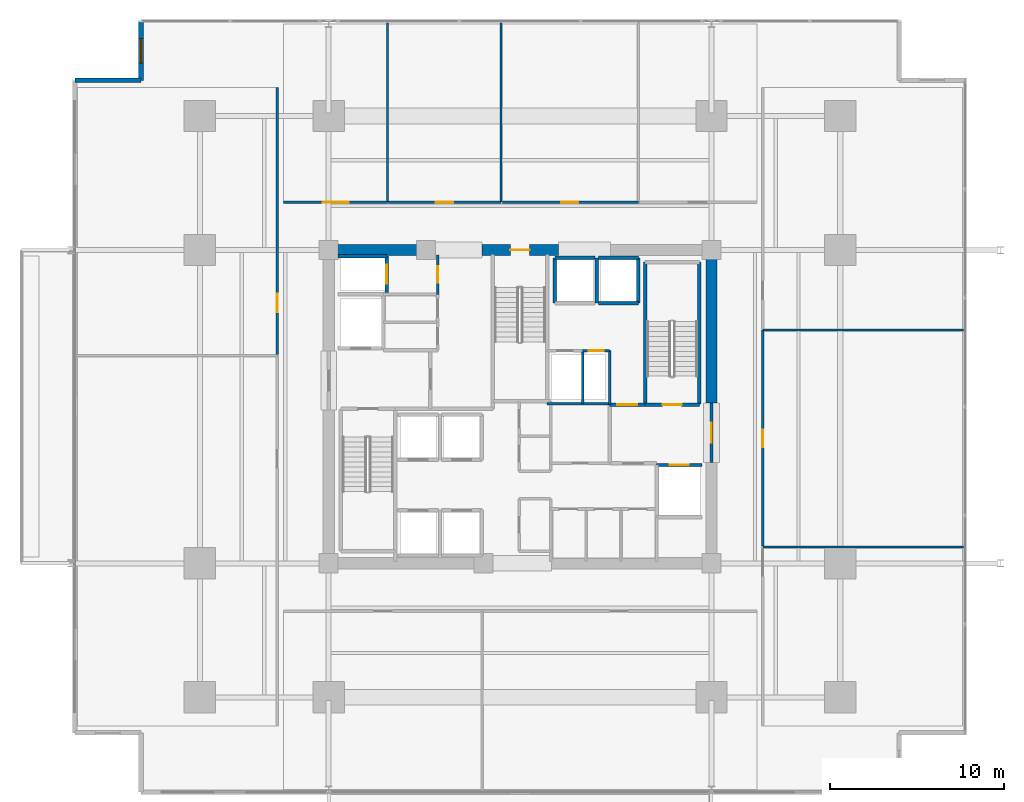
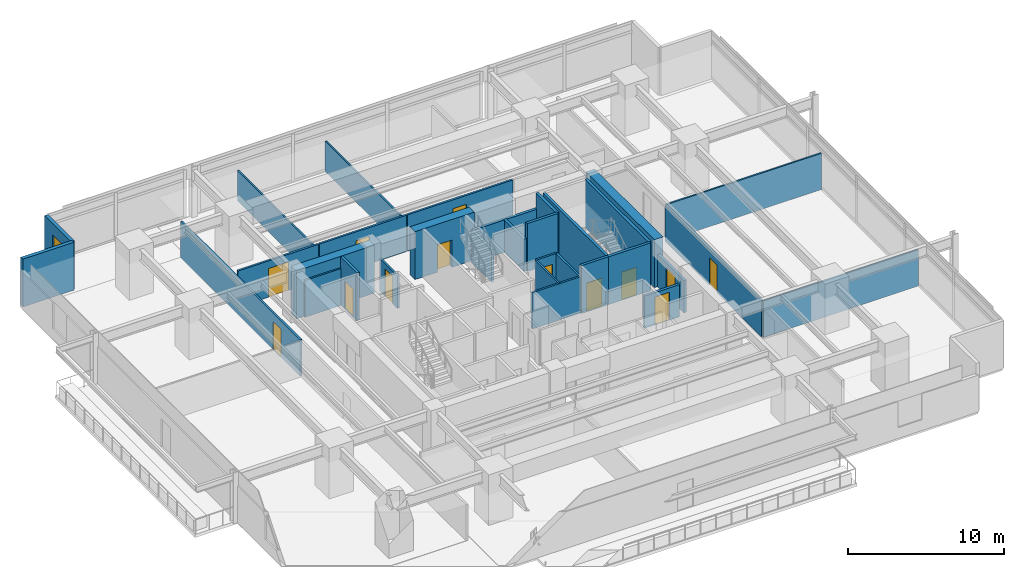
# One storey, part 16 of 22: 33 walls, 13 doors, 1 window, 14 openings.
"""IFC4 building model written with IfcOpenShell, lengths in metres."""

from ifc_helpers import new_model, si_unit, direction, frame, frame_2d, origin, place, context, subcontext, project, spatial, rectangle, extrude, material, layer, layer_set, type_object, element, fill, save


model = new_model("IFC4")

# Units and contexts
model_context = context("Model", 3, precision=1e-05, world=origin(), true_north=direction((0.0, 1.0)))
body_context = subcontext(model_context, "Body", "Model", "MODEL_VIEW")
ifc_project = project(units=[si_unit("LENGTHUNIT", "METRE"), si_unit("AREAUNIT", "SQUARE_METRE"), si_unit("VOLUMEUNIT", "CUBIC_METRE"), si_unit("PLANEANGLEUNIT", "RADIAN"), si_unit("MASSUNIT", "GRAM", prefix="KILO")], contexts=[model_context])

# Site, building, storey
site_placement = place(None, origin())
site = spatial("IfcSite", under=ifc_project, at=site_placement, CompositionType="ELEMENT")
building_placement = place(site_placement, origin())
building = spatial("IfcBuilding", under=site, at=building_placement, Name="Kovane Verandah Tower", CompositionType="ELEMENT")
storey_placement = place(building_placement, frame((0.0, 0.0, 51.60009765625)))
storey = spatial("IfcBuildingStorey", under=building, at=storey_placement, Name="L11", CompositionType="ELEMENT", Elevation=51.60009765625)

# Wall, opening, door
ifc_material_1 = material(Name="Fire-Rated Gypsum Stud Partition", Category="gypsum")
ifc_layer_1 = layer(ifc_material_1, 0.14990234375)
ifc_layer_set_1 = layer_set([ifc_layer_1], Name="Fire-Rated Gypsum Stud Partition")
wall_type_1 = type_object("IfcWallType", Name="WL-COR-150", PredefinedType="PARTITIONING", material=ifc_layer_set_1)
wall_1_placement = place(storey_placement, frame((35.280029296875, 33.949951171875, 0.0), z_axis=(0.0, 0.0, 1.0), x_axis=(0.0, 1.0, 0.0)))
wall_1 = element("IfcWall", 1, at=wall_1_placement, inside=storey, type_object=wall_type_1, Name="L11 Goods Lift Lobby East Fire Partition", PredefinedType="PARTITIONING", context=body_context, shape_type="SweptSolid", body=[
    extrude(rectangle(XDim=2.27001953125, YDim=0.14990234375, at=frame_2d((1.135009765625, 0.0))), origin(), (0.0, 0.0, 1.0), 2.539794921875),
])
opening_1_placement = place(wall_1_placement, frame((0.659912109375, 0.0, 0.0)))
opening_1 = element("IfcOpeningElement", 2, at=opening_1_placement, cuts=wall_1, Name="Opening DR-L11-008", PredefinedType="OPENING", context=body_context, shape_type="SweptSolid", body=[
    extrude(rectangle(XDim=0.949951171875, YDim=2.14990234375, at=frame_2d((0.47509765625, 1.074951171875))), frame((0.0, 0.074951171875, 0.0), z_axis=(0.0, -1.0, 0.0), x_axis=(1.0, 0.0, 0.0)), (0.0, 0.0, 1.0), 0.14990234375),
])
ifc_material_2 = material(Name="Fire-Rated Steel Refuge and Lobby Door", Category="steel")
door_type_1 = type_object("IfcDoorType", Name="DR-FIRE-950", OperationType="SINGLE_SWING_LEFT", PredefinedType="DOOR", material=ifc_material_2)
door_1_placement = place(opening_1_placement, origin())
door_1 = element("IfcDoor", 3, at=door_1_placement, inside=storey, type_object=door_type_1, Name="L11 Goods Lift Lobby Fire Door", OperationType="SINGLE_SWING_RIGHT", OverallHeight=2.14990234375, OverallWidth=0.949951171875, PredefinedType="DOOR", context=body_context, shape_type="SweptSolid", body=[
    extrude(rectangle(XDim=0.949951171875, YDim=2.14990234375, at=frame_2d((0.47509765625, 1.074951171875))), frame((0.0, 0.02490234375, 0.0), z_axis=(0.0, -1.0, 0.0), x_axis=(1.0, 0.0, 0.0)), (0.0, 0.0, 1.0), 0.050048828125),
])
fill(opening_1, door_1)

# Walls
wall_2_placement = place(storey_placement, frame((41.56005859375, 27.679931640625, 0.0), z_axis=(0.0, 0.0, 1.0), x_axis=(1.0, 0.0, 0.0)))
element("IfcWall", 4, at=wall_2_placement, inside=storey, type_object=wall_type_1, Name="L11 East Core Service Riser South Wall", PredefinedType="PARTITIONING", context=body_context, shape_type="SweptSolid", body=[
    extrude(rectangle(XDim=3.58984375, YDim=0.14990234375, at=frame_2d((1.794921875, 0.0))), origin(), (0.0, 0.0, 1.0), 2.849853515625),
])
wall_3_placement = place(storey_placement, frame((45.14990234375, 27.6201171875, 0.0), z_axis=(0.0, 0.0, 1.0), x_axis=(0.0, 1.0, 0.0)))
element("IfcWall", 5, at=wall_3_placement, inside=storey, type_object=wall_type_1, Name="L11 East Core Service Riser East Wall", PredefinedType="PARTITIONING", context=body_context, shape_type="SweptSolid", body=[
    extrude(rectangle(XDim=3.099853515625, YDim=0.14990234375, at=frame_2d((1.5498046875, 0.0))), origin(), (0.0, 0.0, 1.0), 2.849853515625),
])

# Wall, opening, door
wall_4_placement = place(storey_placement, frame((43.60009765625, 30.719970703125, 0.0), z_axis=(0.0, 0.0, 1.0), x_axis=(1.0, 0.0, 0.0)))
wall_4 = element("IfcWall", 6, at=wall_4_placement, inside=storey, type_object=wall_type_1, Name="L11 Sprinkler Wet Riser Room Partition", PredefinedType="PARTITIONING", context=body_context, shape_type="SweptSolid", body=[
    extrude(rectangle(XDim=1.5498046875, YDim=0.14990234375, at=frame_2d((0.77490234375, 0.0))), origin(), (0.0, 0.0, 1.0), 2.849853515625),
])
opening_2_placement = place(wall_4_placement, frame((0.3349609375, 0.0, 0.0)))
opening_2 = element("IfcOpeningElement", 7, at=opening_2_placement, cuts=wall_4, Name="Opening DR-L11-021", PredefinedType="OPENING", context=body_context, shape_type="SweptSolid", body=[
    extrude(rectangle(XDim=0.8798828125, YDim=2.10009765625, at=frame_2d((0.43994140625, 1.050048828125))), frame((0.0, 0.074951171875, 0.0), z_axis=(0.0, -1.0, 0.0), x_axis=(1.0, 0.0, 0.0)), (0.0, 0.0, 1.0), 0.14990234375),
])
ifc_material_3 = material(Name="Fire-Rated Steel Riser Access Door", Category="steel")
door_type_2 = type_object("IfcDoorType", Name="DR-RISER-880", OperationType="SINGLE_SWING_LEFT", PredefinedType="DOOR", material=ifc_material_3)
door_2_placement = place(opening_2_placement, origin())
door_2 = element("IfcDoor", 8, at=door_2_placement, inside=storey, type_object=door_type_2, Name="L11 Sprinkler Wet Riser Room Door", OperationType="SINGLE_SWING_RIGHT", OverallHeight=2.10009765625, OverallWidth=0.8798828125, PredefinedType="DOOR", context=body_context, shape_type="SweptSolid", body=[
    extrude(rectangle(XDim=0.8798828125, YDim=2.10009765625, at=frame_2d((0.43994140625, 1.050048828125))), frame((0.0, 0.02490234375, 0.0), z_axis=(0.0, -1.0, 0.0), x_axis=(1.0, 0.0, 0.0)), (0.0, 0.0, 1.0), 0.050048828125),
])
fill(opening_2, door_2)

wall_5_placement = place(storey_placement, frame((26.39990234375, 39.25, 0.0), z_axis=(0.0, 0.0, 1.0), x_axis=(1.0, 0.0, 0.0)))
wall_5 = element("IfcWall", 9, at=wall_5_placement, inside=storey, type_object=wall_type_1, Name="L11 Client Boardroom N1 Corridor Partition", PredefinedType="PARTITIONING", context=body_context, shape_type="SweptSolid", body=[
    extrude(rectangle(XDim=5.984130859375, YDim=0.14990234375, at=frame_2d((2.9921875, 0.0))), origin(), (0.0, 0.0, 1.0), 2.849853515625),
])
opening_3_placement = place(wall_5_placement, frame((2.257080078125, 0.0, 0.0)))
opening_3 = element("IfcOpeningElement", 10, at=opening_3_placement, cuts=wall_5, Name="Opening DR-L11-022", PredefinedType="OPENING", context=body_context, shape_type="SweptSolid", body=[
    extrude(rectangle(XDim=1.5, YDim=2.25, at=frame_2d((0.75, 1.125))), frame((0.0, 0.074951171875, 0.0), z_axis=(0.0, -1.0, 0.0), x_axis=(1.0, 0.0, 0.0)), (0.0, 0.0, 1.0), 0.14990234375),
])
ifc_material_4 = material(Name="Glazed Timber Fire-Rated Double Door", Category="wood")
door_type_3 = type_object("IfcDoorType", Name="DR-CONF-1500", OperationType="DOUBLE_DOOR_SINGLE_SWING", PredefinedType="DOOR", material=ifc_material_4)
door_3_placement = place(opening_3_placement, origin())
door_3 = element("IfcDoor", 11, at=door_3_placement, inside=storey, type_object=door_type_3, Name="L11 Client Boardroom N1 Entrance Door", OperationType="DOUBLE_DOOR_SINGLE_SWING", OverallHeight=2.25, OverallWidth=1.5, PredefinedType="DOOR", context=body_context, shape_type="SweptSolid", body=[
    extrude(rectangle(XDim=1.5, YDim=2.25, at=frame_2d((0.75, 1.125))), frame((0.0, 0.02490234375, 0.0), z_axis=(0.0, -1.0, 0.0), x_axis=(1.0, 0.0, 0.0)), (0.0, 0.0, 1.0), 0.050048828125),
])
fill(opening_3, door_3)

wall_6_placement = place(storey_placement, frame((32.4541015625, 39.25, 0.0), z_axis=(0.0, 0.0, 1.0), x_axis=(1.0, 0.0, 0.0)))
wall_6 = element("IfcWall", 12, at=wall_6_placement, inside=storey, type_object=wall_type_1, Name="L11 Meeting Room N2 Corridor Partition", PredefinedType="PARTITIONING", context=body_context, shape_type="SweptSolid", body=[
    extrude(rectangle(XDim=6.4580078125, YDim=0.14990234375, at=frame_2d((3.22900390625, 0.0))), origin(), (0.0, 0.0, 1.0), 2.849853515625),
])
opening_4_placement = place(wall_6_placement, frame((2.694091796875, 0.0, 0.0)))
opening_4 = element("IfcOpeningElement", 13, at=opening_4_placement, cuts=wall_6, Name="Opening DR-L11-023", PredefinedType="OPENING", context=body_context, shape_type="SweptSolid", body=[
    extrude(rectangle(XDim=1.0, YDim=2.14990234375, at=frame_2d((0.5, 1.074951171875))), frame((0.0, 0.074951171875, 0.0), z_axis=(0.0, -1.0, 0.0), x_axis=(1.0, 0.0, 0.0)), (0.0, 0.0, 1.0), 0.14990234375),
])
ifc_material_5 = material(Name="FSC Spotted-Gum Timber Fire-Rated Office Door", Category="wood")
door_type_4 = type_object("IfcDoorType", Name="DR-OFF-1000", OperationType="SINGLE_SWING_LEFT", PredefinedType="DOOR", material=ifc_material_5)
door_4_placement = place(opening_4_placement, origin())
door_4 = element("IfcDoor", 14, at=door_4_placement, inside=storey, type_object=door_type_4, Name="L11 Meeting Room N2 Entrance Door", OperationType="SINGLE_SWING_RIGHT", OverallHeight=2.14990234375, OverallWidth=1.0, PredefinedType="DOOR", context=body_context, shape_type="SweptSolid", body=[
    extrude(rectangle(XDim=1.0, YDim=2.14990234375, at=frame_2d((0.5, 1.074951171875))), frame((0.0, 0.02490234375, 0.0), z_axis=(0.0, -1.0, 0.0), x_axis=(1.0, 0.0, 0.0)), (0.0, 0.0, 1.0), 0.050048828125),
])
fill(opening_4, door_4)

wall_7_placement = place(storey_placement, frame((38.98193359375, 39.25, 0.0), z_axis=(0.0, 0.0, 1.0), x_axis=(1.0, 0.0, 0.0)))
wall_7 = element("IfcWall", 15, at=wall_7_placement, inside=storey, type_object=wall_type_1, Name="L11 Focus Studio N3 Corridor Partition", PredefinedType="PARTITIONING", context=body_context, shape_type="SweptSolid", body=[
    extrude(rectangle(XDim=7.818115234375, YDim=0.14990234375, at=frame_2d((3.9091796875, 0.0))), origin(), (0.0, 0.0, 1.0), 2.849853515625),
])
opening_5_placement = place(wall_7_placement, frame((3.3740234375, 0.0, 0.0)))
opening_5 = element("IfcOpeningElement", 16, at=opening_5_placement, cuts=wall_7, Name="Opening DR-L11-024", PredefinedType="OPENING", context=body_context, shape_type="SweptSolid", body=[
    extrude(rectangle(XDim=1.0, YDim=2.14990234375, at=frame_2d((0.5, 1.074951171875))), frame((0.0, 0.074951171875, 0.0), z_axis=(0.0, -1.0, 0.0), x_axis=(1.0, 0.0, 0.0)), (0.0, 0.0, 1.0), 0.14990234375),
])
door_5_placement = place(opening_5_placement, origin())
door_5 = element("IfcDoor", 17, at=door_5_placement, inside=storey, type_object=door_type_4, Name="L11 Focus Studio N3 Entrance Door", OperationType="SINGLE_SWING_LEFT", OverallHeight=2.14990234375, OverallWidth=1.0, PredefinedType="DOOR", context=body_context, shape_type="SweptSolid", body=[
    extrude(rectangle(XDim=1.0, YDim=2.14990234375, at=frame_2d((0.5, 1.074951171875))), frame((0.0, 0.02490234375, 0.0), z_axis=(0.0, -1.0, 0.0), x_axis=(1.0, 0.0, 0.0)), (0.0, 0.0, 1.0), 0.050048828125),
])
fill(opening_5, door_5)

wall_8_placement = place(storey_placement, frame((26.050048828125, 30.50537109375, 0.0), z_axis=(0.0, 0.0, 1.0), x_axis=(0.0, 1.0, 0.0)))
wall_8 = element("IfcWall", 18, at=wall_8_placement, inside=storey, type_object=wall_type_1, Name="L11 Executive Office W2 Corridor Partition", PredefinedType="PARTITIONING", context=body_context, shape_type="SweptSolid", body=[
    extrude(rectangle(XDim=15.3408203125, YDim=0.14990234375, at=frame_2d((7.67041015625, 0.0))), origin(), (0.0, 0.0, 1.0), 2.849853515625),
])
opening_6_placement = place(wall_8_placement, frame((2.42236328125, 0.0, 0.0)))
opening_6 = element("IfcOpeningElement", 19, at=opening_6_placement, cuts=wall_8, Name="Opening DR-L11-033", PredefinedType="OPENING", context=body_context, shape_type="SweptSolid", body=[
    extrude(rectangle(XDim=1.050048828125, YDim=2.199951171875, at=frame_2d((0.52490234375, 1.10009765625))), frame((0.0, 0.074951171875, 0.0), z_axis=(0.0, -1.0, 0.0), x_axis=(1.0, 0.0, 0.0)), (0.0, 0.0, 1.0), 0.14990234375),
])
ifc_material_6 = material(Name="FSC Blackbutt Timber Fire-Rated Executive Door", Category="wood")
door_type_5 = type_object("IfcDoorType", Name="DR-EXEC-1050", OperationType="SINGLE_SWING_LEFT", PredefinedType="DOOR", material=ifc_material_6)
door_6_placement = place(opening_6_placement, origin())
door_6 = element("IfcDoor", 20, at=door_6_placement, inside=storey, type_object=door_type_5, Name="L11 Executive Office W2 Entrance Door", OperationType="SINGLE_SWING_RIGHT", OverallHeight=2.199951171875, OverallWidth=1.050048828125, PredefinedType="DOOR", context=body_context, shape_type="SweptSolid", body=[
    extrude(rectangle(XDim=1.050048828125, YDim=2.199951171875, at=frame_2d((0.52490234375, 1.10009765625))), frame((0.0, 0.02490234375, 0.0), z_axis=(0.0, -1.0, 0.0), x_axis=(1.0, 0.0, 0.0)), (0.0, 0.0, 1.0), 0.050048828125),
])
fill(opening_6, door_6)

wall_9_placement = place(storey_placement, frame((53.949951171875, 19.497802734375, 0.0), z_axis=(0.0, 0.0, 1.0), x_axis=(0.0, 1.0, 0.0)))
wall_9 = element("IfcWall", 21, at=wall_9_placement, inside=storey, type_object=wall_type_1, Name="L11 Meeting Room E2 Corridor Partition", PredefinedType="PARTITIONING", context=body_context, shape_type="SweptSolid", body=[
    extrude(rectangle(XDim=12.4052734375, YDim=0.14990234375, at=frame_2d((6.20263671875, 0.0))), origin(), (0.0, 0.0, 1.0), 2.849853515625),
])
opening_7_placement = place(wall_9_placement, frame((5.667724609375, 0.0, 0.0)))
opening_7 = element("IfcOpeningElement", 22, at=opening_7_placement, cuts=wall_9, Name="Opening DR-L11-014", PredefinedType="OPENING", context=body_context, shape_type="SweptSolid", body=[
    extrude(rectangle(XDim=1.0, YDim=2.14990234375, at=frame_2d((0.5, 1.074951171875))), frame((0.0, 0.074951171875, 0.0), z_axis=(0.0, -1.0, 0.0), x_axis=(1.0, 0.0, 0.0)), (0.0, 0.0, 1.0), 0.14990234375),
])
door_7_placement = place(opening_7_placement, origin())
door_7 = element("IfcDoor", 23, at=door_7_placement, inside=storey, type_object=door_type_4, Name="L11 Meeting Room E2 Entrance Door", OperationType="SINGLE_SWING_RIGHT", OverallHeight=2.14990234375, OverallWidth=1.0, PredefinedType="DOOR", context=body_context, shape_type="SweptSolid", body=[
    extrude(rectangle(XDim=1.0, YDim=2.14990234375, at=frame_2d((0.5, 1.074951171875))), frame((0.0, 0.02490234375, 0.0), z_axis=(0.0, -1.0, 0.0), x_axis=(1.0, 0.0, 0.0)), (0.0, 0.0, 1.0), 0.050048828125),
])
fill(opening_7, door_7)

# Wall
ifc_material_7 = material(Name="Concrete C80/95", Category="concrete")
ifc_layer_2 = layer(ifc_material_7, 0.64990234375)
ifc_layer_set_2 = layer_set([ifc_layer_2], Name="Concrete C80/95")
wall_type_2 = type_object("IfcWallType", Name="WL-CORE-650", PredefinedType="SHEAR", material=ifc_layer_set_2)
wall_10_placement = place(storey_placement, frame((29.0, 36.5, 0.0), z_axis=(0.0, 0.0, 1.0), x_axis=(1.0, 0.0, 0.0)))
element("IfcWall", 24, at=wall_10_placement, inside=storey, type_object=wall_type_2, Name="L11 Core Shear Wall CN-1", PredefinedType="SHEAR", context=body_context, shape_type="SweptSolid", body=[
    extrude(rectangle(XDim=5.800048828125, YDim=0.64990234375, at=frame_2d((2.89990234375, 0.0))), origin(), (0.0, 0.0, 1.0), 3.760009765625),
])

# Wall, opening, door
wall_11_placement = place(storey_placement, frame((37.800048828125, 36.5, 0.0), z_axis=(0.0, 0.0, 1.0), x_axis=(1.0, 0.0, 0.0)))
wall_11 = element("IfcWall", 25, at=wall_11_placement, inside=storey, type_object=wall_type_2, Name="L11 Core Shear Wall CN-2", PredefinedType="SHEAR", context=body_context, shape_type="SweptSolid", body=[
    extrude(rectangle(XDim=4.39990234375, YDim=0.64990234375, at=frame_2d((2.199951171875, 0.0))), origin(), (0.0, 0.0, 1.0), 3.760009765625),
])
opening_8_placement = place(wall_11_placement, frame((1.64990234375, 0.0, 0.0)))
opening_8 = element("IfcOpeningElement", 26, at=opening_8_placement, cuts=wall_11, Name="Opening DR-L11-011", PredefinedType="OPENING", context=body_context, shape_type="SweptSolid", body=[
    extrude(rectangle(XDim=1.10009765625, YDim=2.14990234375, at=frame_2d((0.550048828125, 1.074951171875))), frame((0.0, 0.324951171875, 0.0), z_axis=(0.0, -1.0, 0.0), x_axis=(1.0, 0.0, 0.0)), (0.0, 0.0, 1.0), 0.64990234375),
])
ifc_material_8 = material(Name="Fire-Rated Steel Exit Door", Category="steel")
door_type_6 = type_object("IfcDoorType", Name="DR-STAIR-1100", OperationType="SINGLE_SWING_LEFT", PredefinedType="DOOR", material=ifc_material_8)
door_8_placement = place(opening_8_placement, origin())
door_8 = element("IfcDoor", 27, at=door_8_placement, inside=storey, type_object=door_type_6, Name="L11 ST-03 Fire Exit Stair Door", OperationType="SINGLE_SWING_RIGHT", OverallHeight=2.14990234375, OverallWidth=1.10009765625, PredefinedType="DOOR", context=body_context, shape_type="SweptSolid", body=[
    extrude(rectangle(XDim=1.10009765625, YDim=2.14990234375, at=frame_2d((0.550048828125, 1.074951171875))), frame((0.0, 0.02490234375, 0.0), z_axis=(0.0, -1.0, 0.0), x_axis=(1.0, 0.0, 0.0)), (0.0, 0.0, 1.0), 0.050048828125),
])
fill(opening_8, door_8)

# Wall
wall_12_placement = place(storey_placement, frame((51.0, 27.699951171875, 0.0), z_axis=(0.0, 0.0, 1.0), x_axis=(0.0, 1.0, 0.0)))
element("IfcWall", 28, at=wall_12_placement, inside=storey, type_object=wall_type_2, Name="L11 Core Shear Wall CE-2", PredefinedType="SHEAR", context=body_context, shape_type="SweptSolid", body=[
    extrude(rectangle(XDim=8.800048828125, YDim=0.64990234375, at=frame_2d((4.39990234375, 0.0))), origin(), (0.0, 0.0, 1.0), 3.760009765625),
])

# Wall, opening, door
ifc_material_9 = material(Name="Concrete C45/55 Fire Wall", Category="concrete")
ifc_layer_3 = layer(ifc_material_9, 0.199951171875)
ifc_layer_set_3 = layer_set([ifc_layer_3], Name="Concrete C45/55 Fire Wall")
wall_type_3 = type_object("IfcWallType", Name="WL-FFL-200", PredefinedType="PARTITIONING", material=ifc_layer_set_3)
wall_13_placement = place(storey_placement, frame((45.14990234375, 27.6201171875, 0.0), z_axis=(0.0, 0.0, 1.0), x_axis=(1.0, 0.0, 0.0)))
wall_13 = element("IfcWall", 29, at=wall_13_placement, inside=storey, type_object=wall_type_3, Name="W-L11-FFLE-N", PredefinedType="PARTITIONING", context=body_context, shape_type="SweptSolid", body=[
    extrude(rectangle(XDim=2.030029296875, YDim=0.199951171875, at=frame_2d((1.01513671875, 0.0))), origin(), (0.0, 0.0, 1.0), 3.760009765625),
])
opening_9_placement = place(wall_13_placement, frame((0.43994140625, 0.0, 0.0)))
opening_9 = element("IfcOpeningElement", 30, at=opening_9_placement, cuts=wall_13, Name="Opening DR-L11-004", PredefinedType="OPENING", context=body_context, shape_type="SweptSolid", body=[
    extrude(rectangle(XDim=1.14990234375, YDim=2.199951171875, at=frame_2d((0.574951171875, 1.10009765625))), frame((0.0, 0.10009765625, 0.0), z_axis=(0.0, -1.0, 0.0), x_axis=(1.0, 0.0, 0.0)), (0.0, 0.0, 1.0), 0.199951171875),
])
ifc_material_10 = material(Name="Smoke-Sealed Firefighting Lobby Door", Category="steel")
door_type_7 = type_object("IfcDoorType", Name="DR-FFL-1150", OperationType="SINGLE_SWING_LEFT", PredefinedType="DOOR", material=ifc_material_10)
door_9_placement = place(opening_9_placement, origin())
door_9 = element("IfcDoor", 31, at=door_9_placement, inside=storey, type_object=door_type_7, Name="L11 East Firefighting Lobby Shuttle Link Door", OperationType="SINGLE_SWING_LEFT", OverallHeight=2.199951171875, OverallWidth=1.14990234375, PredefinedType="DOOR", context=body_context, shape_type="SweptSolid", body=[
    extrude(rectangle(XDim=1.14990234375, YDim=2.199951171875, at=frame_2d((0.574951171875, 1.10009765625))), frame((0.0, 0.02490234375, 0.0), z_axis=(0.0, -1.0, 0.0), x_axis=(1.0, 0.0, 0.0)), (0.0, 0.0, 1.0), 0.050048828125),
])
fill(opening_9, door_9)

wall_14_placement = place(storey_placement, frame((51.0, 24.300048828125, 0.0), z_axis=(0.0, 0.0, 1.0), x_axis=(0.0, 1.0, 0.0)))
wall_14 = element("IfcWall", 32, at=wall_14_placement, inside=storey, type_object=wall_type_3, Name="W-L11-FFLE-OUT", PredefinedType="PARTITIONING", context=body_context, shape_type="SweptSolid", body=[
    extrude(rectangle(XDim=3.39990234375, YDim=0.199951171875, at=frame_2d((1.699951171875, 0.0))), origin(), (0.0, 0.0, 1.0), 2.539794921875),
])
opening_10_placement = place(wall_14_placement, frame((1.125, 0.0, 0.0)))
opening_10 = element("IfcOpeningElement", 33, at=opening_10_placement, cuts=wall_14, Name="Opening DR-L11-005", PredefinedType="OPENING", context=body_context, shape_type="SweptSolid", body=[
    extrude(rectangle(XDim=1.14990234375, YDim=2.199951171875, at=frame_2d((0.574951171875, 1.10009765625))), frame((0.0, 0.10009765625, 0.0), z_axis=(0.0, -1.0, 0.0), x_axis=(1.0, 0.0, 0.0)), (0.0, 0.0, 1.0), 0.199951171875),
])
door_10_placement = place(opening_10_placement, origin())
door_10 = element("IfcDoor", 34, at=door_10_placement, inside=storey, type_object=door_type_7, Name="L11 East Firefighting Lobby Corridor Door", OperationType="SINGLE_SWING_LEFT", OverallHeight=2.199951171875, OverallWidth=1.14990234375, PredefinedType="DOOR", context=body_context, shape_type="SweptSolid", body=[
    extrude(rectangle(XDim=1.14990234375, YDim=2.199951171875, at=frame_2d((0.574951171875, 1.10009765625))), frame((0.0, 0.02490234375, 0.0), z_axis=(0.0, -1.0, 0.0), x_axis=(1.0, 0.0, 0.0)), (0.0, 0.0, 1.0), 0.050048828125),
])
fill(opening_10, door_10)

ifc_material_11 = material(Name="Concrete C45/55 Lift Shaft Wall", Category="concrete")
ifc_layer_4 = layer(ifc_material_11, 0.199951171875)
ifc_layer_set_4 = layer_set([ifc_layer_4], Name="Concrete C45/55 Lift Shaft Wall")
wall_type_4 = type_object("IfcWallType", Name="WL-LIFT-200", PredefinedType="SOLIDWALL", material=ifc_layer_set_4)
wall_15_placement = place(storey_placement, frame((50.449951171875, 24.14990234375, 0.0), z_axis=(0.0, 0.0, 1.0), x_axis=(-1.0, 0.0, 0.0)))
wall_15 = element("IfcWall", 35, at=wall_15_placement, inside=storey, type_object=wall_type_4, Name="L11 Lift FL-02 N Shaft Wall", PredefinedType="SOLIDWALL", context=body_context, shape_type="SweptSolid", body=[
    extrude(rectangle(XDim=2.599853515625, YDim=0.199951171875, at=frame_2d((1.2998046875, 0.0))), origin(), (0.0, 0.0, 1.0), 2.539794921875),
])
opening_11_placement = place(wall_15_placement, frame((0.75, 0.0, 0.0)))
opening_11 = element("IfcOpeningElement", 36, at=opening_11_placement, cuts=wall_15, Name="Opening LD-L11-002", PredefinedType="OPENING", context=body_context, shape_type="SweptSolid", body=[
    extrude(rectangle(XDim=1.10009765625, YDim=2.199951171875, at=frame_2d((0.550048828125, 1.10009765625))), frame((0.0, 0.10009765625, 0.0), z_axis=(0.0, -1.0, 0.0), x_axis=(1.0, 0.0, 0.0)), (0.0, 0.0, 1.0), 0.199951171875),
])
ifc_material_12 = material(Name="Brushed Stainless Steel Sliding Lift Landing Door", Category="steel")
door_type_8 = type_object("IfcDoorType", Name="DR-LIFT-1100", OperationType="SLIDING_TO_RIGHT", PredefinedType="DOOR", material=ifc_material_12)
door_11_placement = place(opening_11_placement, origin())
door_11 = element("IfcDoor", 37, at=door_11_placement, inside=storey, type_object=door_type_8, Name="L11 Lift FL-02 Sliding Landing Door", OperationType="SLIDING_TO_RIGHT", OverallHeight=2.199951171875, OverallWidth=1.10009765625, PredefinedType="DOOR", context=body_context, shape_type="SweptSolid", body=[
    extrude(rectangle(XDim=1.10009765625, YDim=2.199951171875, at=frame_2d((0.550048828125, 1.10009765625))), frame((0.0, 0.02490234375, 0.0), z_axis=(0.0, -1.0, 0.0), x_axis=(1.0, 0.0, 0.0)), (0.0, 0.0, 1.0), 0.050048828125),
])
fill(opening_11, door_11)

# Wall
wall_16_placement = place(storey_placement, frame((32.35009765625, 36.14990234375, 0.0), z_axis=(0.0, 0.0, 1.0), x_axis=(-1.0, 0.0, 0.0)))
element("IfcWall", 38, at=wall_16_placement, inside=storey, type_object=wall_type_4, Name="L11 Lift GL-01 N Shaft Wall", PredefinedType="SOLIDWALL", context=body_context, shape_type="SweptSolid", body=[
    extrude(rectangle(XDim=2.800048828125, YDim=0.199951171875, at=frame_2d((1.39990234375, 0.0))), origin(), (0.0, 0.0, 1.0), 2.88916015625),
])

# Wall, opening, door
wall_17_placement = place(storey_placement, frame((32.35009765625, 34.050048828125, 0.0), z_axis=(0.0, 0.0, 1.0), x_axis=(0.0, 1.0, 0.0)))
wall_17 = element("IfcWall", 39, at=wall_17_placement, inside=storey, type_object=wall_type_4, Name="L11 Lift GL-01 E Shaft Wall", PredefinedType="SOLIDWALL", context=body_context, shape_type="SweptSolid", body=[
    extrude(rectangle(XDim=2.099853515625, YDim=0.199951171875, at=frame_2d((1.0498046875, 0.0))), origin(), (0.0, 0.0, 1.0), 3.760009765625),
])
opening_12_placement = place(wall_17_placement, frame((0.5, 0.0, 0.0)))
opening_12 = element("IfcOpeningElement", 40, at=opening_12_placement, cuts=wall_17, Name="Opening LD-L11-003", PredefinedType="OPENING", context=body_context, shape_type="SweptSolid", body=[
    extrude(rectangle(XDim=1.10009765625, YDim=2.199951171875, at=frame_2d((0.550048828125, 1.10009765625))), frame((0.0, 0.10009765625, 0.0), z_axis=(0.0, -1.0, 0.0), x_axis=(1.0, 0.0, 0.0)), (0.0, 0.0, 1.0), 0.199951171875),
])
door_12_placement = place(opening_12_placement, origin())
door_12 = element("IfcDoor", 41, at=door_12_placement, inside=storey, type_object=door_type_8, Name="L11 Lift GL-01 Sliding Landing Door", OperationType="SLIDING_TO_RIGHT", OverallHeight=2.199951171875, OverallWidth=1.10009765625, PredefinedType="DOOR", context=body_context, shape_type="SweptSolid", body=[
    extrude(rectangle(XDim=1.10009765625, YDim=2.199951171875, at=frame_2d((0.550048828125, 1.10009765625))), frame((0.0, 0.02490234375, 0.0), z_axis=(0.0, -1.0, 0.0), x_axis=(1.0, 0.0, 0.0)), (0.0, 0.0, 1.0), 0.050048828125),
])
fill(opening_12, door_12)

# Walls
wall_18_placement = place(storey_placement, frame((44.300048828125, 36.050048828125, 0.0), z_axis=(0.0, 0.0, 1.0), x_axis=(-1.0, 0.0, 0.0)))
element("IfcWall", 42, at=wall_18_placement, inside=storey, type_object=wall_type_4, Name="L11 Lift SL-01 N Shaft Wall", PredefinedType="SOLIDWALL", context=body_context, shape_type="SweptSolid", body=[
    extrude(rectangle(XDim=2.300048828125, YDim=0.199951171875, at=frame_2d((1.14990234375, 0.0))), origin(), (0.0, 0.0, 1.0), 2.539794921875),
])
for number, where, z_axis, x_axis, name in (
    (43, (42.0, 36.050048828125, 0.0), (0.0, 0.0, 1.0), (0.0, -1.0, 0.0), "L11 Lift SL-01 W Shaft Wall"),
    (44, (44.39990234375, 33.449951171875, 0.0), (0.0, 0.0, 1.0), (0.0, 1.0, 0.0), "L11 Lift OL-01 and SL-01 Shared Shaft Wall"),
):
    element("IfcWall", number, at=place(storey_placement, frame(where, z_axis=z_axis, x_axis=x_axis)), inside=storey, type_object=wall_type_4, Name=name, PredefinedType="SOLIDWALL", context=body_context, shape_type="SweptSolid", body=[
        extrude(rectangle(XDim=2.60009765625, YDim=0.199951171875, at=frame_2d((1.300048828125, 0.0))), origin(), (0.0, 0.0, 1.0), 2.539794921875),
    ])
wall_19_placement = place(storey_placement, frame((44.5, 33.449951171875, 0.0), z_axis=(0.0, 0.0, 1.0), x_axis=(1.0, 0.0, 0.0)))
element("IfcWall", 45, at=wall_19_placement, inside=storey, type_object=wall_type_4, Name="L11 Lift OL-01 S Shaft Wall", PredefinedType="SOLIDWALL", context=body_context, shape_type="SweptSolid", body=[
    extrude(rectangle(XDim=2.300048828125, YDim=0.199951171875, at=frame_2d((1.14990234375, 0.0))), origin(), (0.0, 0.0, 1.0), 3.760009765625),
])
wall_20_placement = place(storey_placement, frame((46.800048828125, 36.050048828125, 0.0), z_axis=(0.0, 0.0, 1.0), x_axis=(-1.0, 0.0, 0.0)))
element("IfcWall", 46, at=wall_20_placement, inside=storey, type_object=wall_type_4, Name="L11 Lift OL-01 N Shaft Wall", PredefinedType="SOLIDWALL", context=body_context, shape_type="SweptSolid", body=[
    extrude(rectangle(XDim=2.300048828125, YDim=0.199951171875, at=frame_2d((1.14990234375, 0.0))), origin(), (0.0, 0.0, 1.0), 2.539794921875),
])
wall_21_placement = place(storey_placement, frame((46.800048828125, 33.449951171875, 0.0), z_axis=(0.0, 0.0, 1.0), x_axis=(0.0, 1.0, 0.0)))
element("IfcWall", 47, at=wall_21_placement, inside=storey, type_object=wall_type_4, Name="L11 Lift OL-01 E Shaft Wall", PredefinedType="SOLIDWALL", context=body_context, shape_type="SweptSolid", body=[
    extrude(rectangle(XDim=2.60009765625, YDim=0.199951171875, at=frame_2d((1.300048828125, 0.0))), origin(), (0.0, 0.0, 1.0), 3.760009765625),
])
ifc_material_13 = material(Name="Acoustic Fire-Rated Gypsum Partition", Category="gypsum")
ifc_layer_5 = layer(ifc_material_13, 0.1201171875)
ifc_layer_set_5 = layer_set([ifc_layer_5], Name="Acoustic Fire-Rated Gypsum Partition")
wall_type_5 = type_object("IfcWallType", Name="WL-PART-120", PredefinedType="PARTITIONING", material=ifc_layer_set_5)
wall_22_placement = place(storey_placement, frame((43.60009765625, 27.679931640625, 0.0), z_axis=(0.0, 0.0, 1.0), x_axis=(0.0, 1.0, 0.0)))
element("IfcWall", 48, at=wall_22_placement, inside=storey, type_object=wall_type_5, Name="L11 Service Riser Dividing Partition", PredefinedType="PARTITIONING", context=body_context, shape_type="SweptSolid", body=[
    extrude(rectangle(XDim=3.0400390625, YDim=0.1201171875, at=frame_2d((1.52001953125, 0.0))), origin(), (0.0, 0.0, 1.0), 2.849853515625),
])
for number, where, z_axis, x_axis, name in (
    (49, (32.384033203125, 39.25, 0.0), (0.0, 0.0, 1.0), (0.0, 1.0, 0.0), "L11 Client Boardroom N1 Dividing Partition"),
    (50, (38.912109375, 39.25, 0.0), (0.0, 0.0, 1.0), (0.0, 1.0, 0.0), "L11 Meeting Room N2 Dividing Partition"),
):
    element("IfcWall", number, at=place(storey_placement, frame(where, z_axis=z_axis, x_axis=x_axis)), inside=storey, type_object=wall_type_5, Name=name, PredefinedType="PARTITIONING", context=body_context, shape_type="SweptSolid", body=[
        extrude(rectangle(XDim=10.296142578125, YDim=0.1201171875, at=frame_2d((5.14794921875, 0.0))), origin(), (0.0, 0.0, 1.0), 2.389892578125),
    ])
for number, where, z_axis, x_axis, name in (
    (51, (53.949951171875, 19.427734375, 0.0), (0.0, 0.0, 1.0), (1.0, 0.0, 0.0), "L11 Client Boardroom E1 Dividing Partition"),
    (52, (53.949951171875, 31.903076171875, 0.0), (0.0, 0.0, 1.0), (1.0, 0.0, 0.0), "L11 Meeting Room E2 Dividing Partition"),
):
    element("IfcWall", number, at=place(storey_placement, frame(where, z_axis=z_axis, x_axis=x_axis)), inside=storey, type_object=wall_type_5, Name=name, PredefinedType="PARTITIONING", context=body_context, shape_type="SweptSolid", body=[
        extrude(rectangle(XDim=11.5302734375, YDim=0.1201171875, at=frame_2d((5.76513671875, 0.0))), origin(), (0.0, 0.0, 1.0), 2.849853515625),
    ])
ifc_material_14 = material(Name="Concrete C45/55", Category="concrete")
ifc_layer_6 = layer(ifc_material_14, 0.199951171875)
ifc_layer_set_6 = layer_set([ifc_layer_6], Name="Concrete C45/55")
wall_type_6 = type_object("IfcWallType", Name="WL-SHAFT-200", PredefinedType="SOLIDWALL", material=ifc_layer_set_6)
wall_23_placement = place(storey_placement, frame((50.300048828125, 27.64990234375, 0.0), z_axis=(0.0, 0.0, 1.0), x_axis=(0.0, 1.0, 0.0)))
element("IfcWall", 53, at=wall_23_placement, inside=storey, type_object=wall_type_6, Name="W-L11-ST02-E", PredefinedType="SOLIDWALL", context=body_context, shape_type="SweptSolid", body=[
    extrude(rectangle(XDim=8.150146484375, YDim=0.199951171875, at=frame_2d((4.0751953125, 0.0))), origin(), (0.0, 0.0, 1.0), 3.760009765625),
])
wall_24_placement = place(storey_placement, frame((47.179931640625, 27.6201171875, 0.0), z_axis=(0.0, 0.0, 1.0), x_axis=(0.0, 1.0, 0.0)))
element("IfcWall", 54, at=wall_24_placement, inside=storey, type_object=wall_type_6, Name="W-L11-ST02-W", PredefinedType="SOLIDWALL", context=body_context, shape_type="SweptSolid", body=[
    extrude(rectangle(XDim=8.179931640625, YDim=0.199951171875, at=frame_2d((4.08984375, 0.0))), origin(), (0.0, 0.0, 1.0), 3.760009765625),
])

# Wall, opening, door
wall_25_placement = place(storey_placement, frame((47.179931640625, 27.6201171875, 0.0), z_axis=(0.0, 0.0, 1.0), x_axis=(1.0, 0.0, 0.0)))
wall_25 = element("IfcWall", 55, at=wall_25_placement, inside=storey, type_object=wall_type_6, Name="W-L11-ST02-S", PredefinedType="SOLIDWALL", context=body_context, shape_type="SweptSolid", body=[
    extrude(rectangle(XDim=3.1201171875, YDim=0.199951171875, at=frame_2d((1.56005859375, 0.0))), origin(), (0.0, 0.0, 1.0), 3.760009765625),
])
opening_13_placement = place(wall_25_placement, frame((1.010009765625, 0.0, 0.0)))
opening_13 = element("IfcOpeningElement", 56, at=opening_13_placement, cuts=wall_25, Name="Opening DR-L11-010", PredefinedType="OPENING", context=body_context, shape_type="SweptSolid", body=[
    extrude(rectangle(XDim=1.10009765625, YDim=2.14990234375, at=frame_2d((0.550048828125, 1.074951171875))), frame((0.0, 0.10009765625, 0.0), z_axis=(0.0, -1.0, 0.0), x_axis=(1.0, 0.0, 0.0)), (0.0, 0.0, 1.0), 0.199951171875),
])
door_13_placement = place(opening_13_placement, origin())
door_13 = element("IfcDoor", 57, at=door_13_placement, inside=storey, type_object=door_type_6, Name="L11 ST-02 Fire Exit Stair Door", OperationType="SINGLE_SWING_LEFT", OverallHeight=2.14990234375, OverallWidth=1.10009765625, PredefinedType="DOOR", context=body_context, shape_type="SweptSolid", body=[
    extrude(rectangle(XDim=1.10009765625, YDim=2.14990234375, at=frame_2d((0.550048828125, 1.074951171875))), frame((0.0, 0.02490234375, 0.0), z_axis=(0.0, -1.0, 0.0), x_axis=(1.0, 0.0, 0.0)), (0.0, 0.0, 1.0), 0.050048828125),
])
fill(opening_13, door_13)

# Wall, opening, window
ifc_material_15 = material(Name="Concrete C45/55 Insulated Spandrel Wall", Category="concrete")
ifc_layer_7 = layer(ifc_material_15, 0.260009765625)
ifc_layer_set_7 = layer_set([ifc_layer_7], Name="Concrete C45/55 Insulated Spandrel Wall")
wall_type_7 = type_object("IfcWallType", Name="WL-SPANDREL-260", PredefinedType="PARAPET", material=ifc_layer_set_7)
wall_26_placement = place(storey_placement, frame((18.2197265625, 49.646240234375, 0.0), z_axis=(0.0, 0.0, 1.0), x_axis=(0.0, -1.0, 0.0)))
wall_26 = element("IfcWall", 58, at=wall_26_placement, inside=storey, type_object=wall_type_7, Name="L11 NW Notch Cheek Wall 1", PredefinedType="PARAPET", context=body_context, shape_type="SweptSolid", body=[
    extrude(rectangle(XDim=3.400146484375, YDim=0.260009765625, at=frame_2d((1.7001953125, 0.0))), origin(), (0.0, 0.0, 1.0), 3.760009765625),
])
opening_14_placement = place(wall_26_placement, frame((1.0, 0.0, 0.85009765625)))
opening_14 = element("IfcOpeningElement", 59, at=opening_14_placement, cuts=wall_26, Name="Opening W-01", PredefinedType="OPENING", context=body_context, shape_type="SweptSolid", body=[
    extrude(rectangle(XDim=1.39990234375, YDim=2.0, at=frame_2d((0.699951171875, 1.0))), frame((0.0, 0.1298828125, 0.0), z_axis=(0.0, -1.0, 0.0), x_axis=(1.0, 0.0, 0.0)), (0.0, 0.0, 1.0), 0.260009765625),
])
ifc_material_16 = material(Name="Clear Low-E Laminated Double Glazing in Anodised Frame", Category="glass")
window_type = type_object("IfcWindowType", Name="WN-OPER-1400x2000", PartitioningType="SINGLE_PANEL", PredefinedType="WINDOW", material=ifc_material_16)
window_placement = place(opening_14_placement, origin())
window = element("IfcWindow", 60, at=window_placement, inside=storey, type_object=window_type, Name="L11 NW Re-Entrant Corner Operable Window", OverallHeight=2.0, OverallWidth=1.39990234375, PartitioningType="SINGLE_PANEL", PredefinedType="WINDOW", context=body_context, shape_type="SweptSolid", body=[
    extrude(rectangle(XDim=1.39990234375, YDim=2.0, at=frame_2d((0.699951171875, 1.0))), frame((0.0, 0.030029296875, 0.0), z_axis=(0.0, -1.0, 0.0), x_axis=(1.0, 0.0, 0.0)), (0.0, 0.0, 1.0), 0.06005859375),
])
fill(opening_14, window)

# Wall
wall_27_placement = place(storey_placement, frame((18.2197265625, 46.24609375, 0.0), z_axis=(0.0, 0.0, 1.0), x_axis=(-1.0, 0.0, 0.0)))
element("IfcWall", 61, at=wall_27_placement, inside=storey, type_object=wall_type_7, Name="L11 NW Notch Cheek Wall 2", PredefinedType="PARAPET", context=body_context, shape_type="SweptSolid", body=[
    extrude(rectangle(XDim=3.800048828125, YDim=0.260009765625, at=frame_2d((1.89990234375, 0.0))), origin(), (0.0, 0.0, 1.0), 3.760009765625),
])

save(model, "model.ifc")
